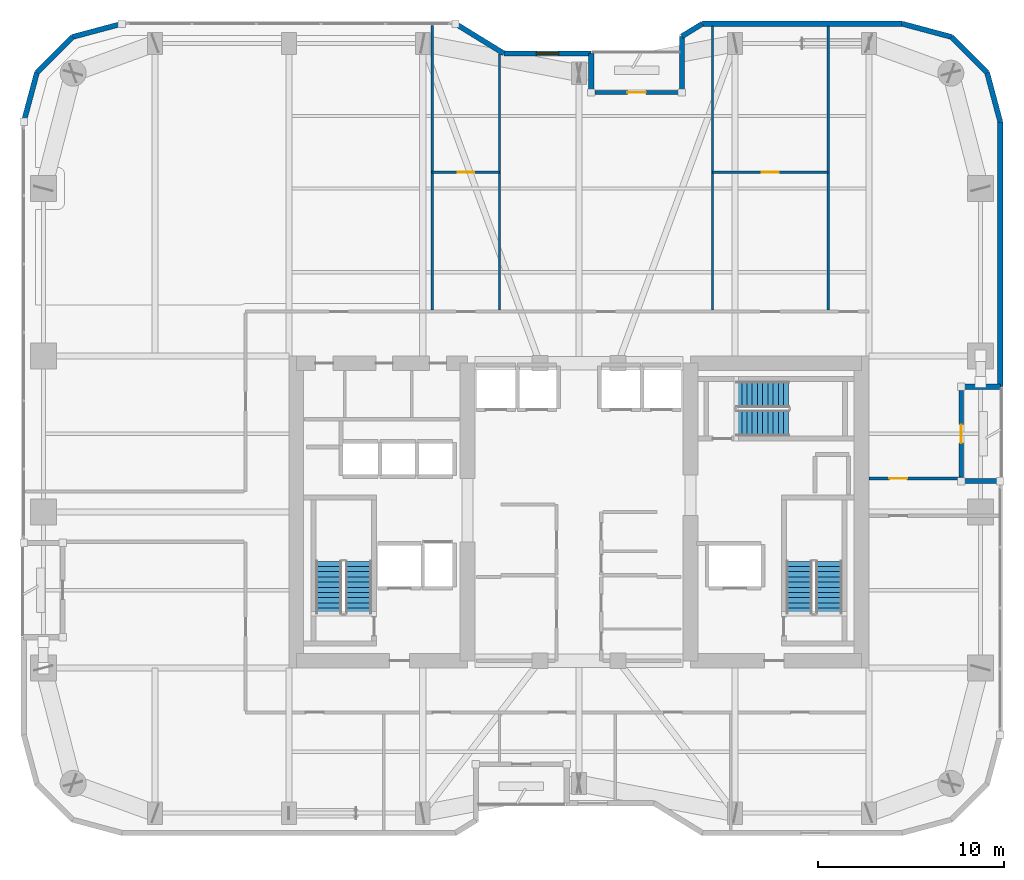
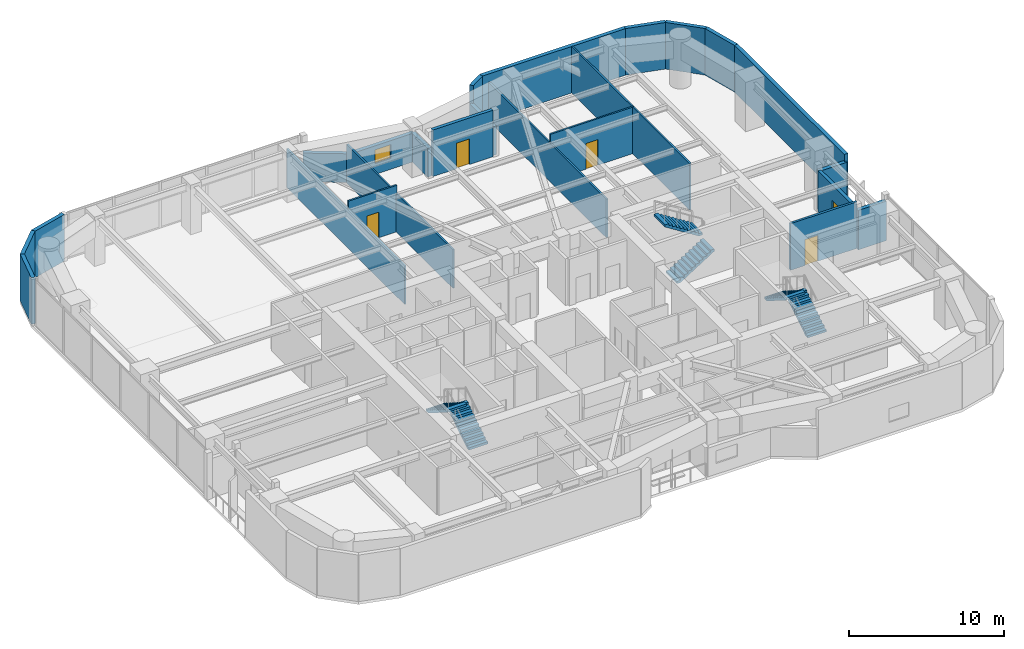
# One storey, part 27 of 30: 24 walls, 6 stair flights, 5 doors, 1 window, 6 openings, 3 elements without a shape of their own.
"""IFC4 building model written with IfcOpenShell, lengths in metres."""

from ifc_helpers import new_model, si_unit, direction, frame, frame_2d, origin, place, context, subcontext, project, spatial, polyline, rectangle, outline, extrude, material, layer, layer_set, type_object, element, fill, aggregate, save


model = new_model("IFC4")

# Units and contexts
model_context = context("Model", 3, precision=1e-05, world=origin(), true_north=direction((0.0, 1.0)))
body_context = subcontext(model_context, "Body", "Model", "MODEL_VIEW")
ifc_project = project(units=[si_unit("LENGTHUNIT", "METRE"), si_unit("AREAUNIT", "SQUARE_METRE"), si_unit("VOLUMEUNIT", "CUBIC_METRE"), si_unit("PLANEANGLEUNIT", "RADIAN"), si_unit("MASSUNIT", "GRAM", prefix="KILO")], contexts=[model_context])

# Site, building, storey
site_placement = place(None, origin())
site = spatial("IfcSite", under=ifc_project, at=site_placement, CompositionType="ELEMENT")
building_placement = place(site_placement, origin())
building = spatial("IfcBuilding", under=site, at=building_placement, Name="Kiyonajd Concourse Tower", CompositionType="ELEMENT")
storey_placement = place(building_placement, frame((0.0, 0.0, 154.5)))
storey = spatial("IfcBuildingStorey", under=building, at=storey_placement, Name="L39", CompositionType="ELEMENT", Elevation=154.5)

# Walls
ifc_material_1 = material(Name="Precast concrete C50/60", Category="concrete")
ifc_layer_1 = layer(ifc_material_1, 0.280029296875)
ifc_layer_set_1 = layer_set([ifc_layer_1], Name="Precast concrete C50/60")
wall_type_1 = type_object("IfcWallType", Name="WL-EXT-280", PredefinedType="SOLIDWALL", material=ifc_layer_set_1)
wall_1_placement = place(storey_placement, frame((18.139892578125, 56.981689453125, 0.0), z_axis=(0.0, 0.0, 1.0), x_axis=(0.258672222976, 0.9659651552, 0.0)))
element("IfcWall", 1, at=wall_1_placement, inside=storey, type_object=wall_type_1, Name="L39 Exterior Concrete Frame Wall 06", PredefinedType="SOLIDWALL", context=body_context, shape_type="SweptSolid", body=[
    extrude(rectangle(XDim=2.739013671875, YDim=0.280029296875, at=frame_2d((1.36962890625, 0.0))), origin(), (0.0, 0.0, 1.0), 3.679931640625),
])
wall_2_placement = place(storey_placement, frame((18.848388671875, 59.62744140625, 0.0), z_axis=(0.0, 0.0, 1.0), x_axis=(0.707106781187, 0.707106781187, 0.0)))
element("IfcWall", 2, at=wall_2_placement, inside=storey, type_object=wall_type_1, Name="L39 Exterior Concrete Frame Wall 07", PredefinedType="SOLIDWALL", context=body_context, shape_type="SweptSolid", body=[
    extrude(rectangle(XDim=2.720947265625, YDim=0.280029296875, at=frame_2d((1.3603515625, 0.0))), origin(), (0.0, 0.0, 1.0), 3.679931640625),
])
wall_3_placement = place(storey_placement, frame((20.7724609375, 61.551513671875, 0.0), z_axis=(0.0, 0.0, 1.0), x_axis=(0.965971118627, 0.258649952598, 0.0)))
element("IfcWall", 3, at=wall_3_placement, inside=storey, type_object=wall_type_1, Name="L39 Exterior Concrete Frame Wall 08", PredefinedType="SOLIDWALL", context=body_context, shape_type="SweptSolid", body=[
    extrude(rectangle(XDim=2.7392578125, YDim=0.280029296875, at=frame_2d((1.36962890625, 0.0))), origin(), (0.0, 0.0, 1.0), 3.679931640625),
])
wall_4_placement = place(storey_placement, frame((41.3603515625, 62.260009765625, 0.0), z_axis=(0.0, 0.0, 1.0), x_axis=(0.851652825334, -0.524106349037, 0.0)))
element("IfcWall", 4, at=wall_4_placement, inside=storey, type_object=wall_type_1, Name="L39 Exterior Concrete Frame Wall 10", PredefinedType="SOLIDWALL", context=body_context, shape_type="SweptSolid", body=[
    extrude(rectangle(XDim=3.052978515625, YDim=0.280029296875, at=frame_2d((1.5263671875, 0.0))), origin(), (0.0, 0.0, 1.0), 2.264892578125),
])

# Wall, opening, window
wall_5_placement = place(storey_placement, frame((43.96044921875, 60.659912109375, 0.0), z_axis=(0.0, 0.0, 1.0), x_axis=(1.0, 0.0, 0.0)))
wall_5 = element("IfcWall", 5, at=wall_5_placement, inside=storey, type_object=wall_type_1, Name="L39 Exterior Concrete Frame Wall 11", PredefinedType="SOLIDWALL", context=body_context, shape_type="SweptSolid", body=[
    extrude(rectangle(XDim=4.699462890625, YDim=0.280029296875, at=frame_2d((2.349609375, 0.0))), origin(), (0.0, 0.0, 1.0), 2.264892578125),
])
opening_1_placement = place(wall_5_placement, frame((1.75, 0.0, 0.85009765625)))
opening_1 = element("IfcOpeningElement", 6, at=opening_1_placement, cuts=wall_5, Name="Opening WN3", PredefinedType="OPENING", context=body_context, shape_type="SweptSolid", body=[
    extrude(rectangle(XDim=1.199951171875, YDim=1.10009765625, at=frame_2d((0.60009765625, 0.550048828125))), frame((0.0, 0.14990234375, 0.0), z_axis=(0.0, -1.0, 0.0), x_axis=(1.0, 0.0, 0.0)), (0.0, 0.0, 1.0), 0.300048828125),
])
ifc_material_2 = material(Name="Double Low-E Insulated Glass", Category="glass")
window_type = type_object("IfcWindowType", Name="WN-VIS-1200x1100", PartitioningType="SINGLE_PANEL", PredefinedType="WINDOW", material=ifc_material_2)
window_placement = place(opening_1_placement, origin())
window = element("IfcWindow", 7, at=window_placement, inside=storey, type_object=window_type, Name="L39 Modular Facade Vision Window 11", OverallHeight=1.10009765625, OverallWidth=1.199951171875, PartitioningType="SINGLE_PANEL", PredefinedType="WINDOW", context=body_context, shape_type="SweptSolid", body=[
    extrude(rectangle(XDim=1.199951171875, YDim=1.10009765625, at=frame_2d((0.60009765625, 0.550048828125))), frame((0.0, 0.030029296875, 0.0), z_axis=(0.0, -1.0, 0.0), x_axis=(1.0, 0.0, 0.0)), (0.0, 0.0, 1.0), 0.06005859375),
])
fill(opening_1, window)

# Walls
wall_6_placement = place(storey_placement, frame((48.659912109375, 60.659912109375, 0.0), z_axis=(0.0, 0.0, 1.0), x_axis=(0.0, -1.0, 0.0)))
element("IfcWall", 8, at=wall_6_placement, inside=storey, type_object=wall_type_1, Name="L39 Exterior Concrete Frame Wall 12", PredefinedType="SOLIDWALL", context=body_context, shape_type="SweptSolid", body=[
    extrude(rectangle(XDim=2.099853515625, YDim=0.280029296875, at=frame_2d((1.0498046875, 0.0))), origin(), (0.0, 0.0, 1.0), 2.264892578125),
])
wall_7_placement = place(storey_placement, frame((53.5400390625, 58.56005859375, 0.0), z_axis=(0.0, 0.0, 1.0), x_axis=(0.0, 1.0, 0.0)))
element("IfcWall", 9, at=wall_7_placement, inside=storey, type_object=wall_type_1, Name="L39 Exterior Concrete Frame Wall 14", PredefinedType="SOLIDWALL", context=body_context, shape_type="SweptSolid", body=[
    extrude(rectangle(XDim=3.023681640625, YDim=0.280029296875, at=frame_2d((1.51171875, 0.0))), origin(), (0.0, 0.0, 1.0), 2.264892578125),
])
wall_8_placement = place(storey_placement, frame((53.5400390625, 61.583740234375, 0.0), z_axis=(0.0, 0.0, 1.0), x_axis=(0.851801140441, 0.523865266212, 0.0)))
element("IfcWall", 10, at=wall_8_placement, inside=storey, type_object=wall_type_1, Name="L39 Exterior Concrete Frame Wall 15", PredefinedType="SOLIDWALL", context=body_context, shape_type="SweptSolid", body=[
    extrude(rectangle(XDim=1.291015625, YDim=0.280029296875, at=frame_2d((0.6455078125, 0.0))), origin(), (0.0, 0.0, 1.0), 3.679931640625),
])
wall_9_placement = place(storey_placement, frame((54.6396484375, 62.260009765625, 0.0), z_axis=(0.0, 0.0, 1.0), x_axis=(1.0, 0.0, 0.0)))
element("IfcWall", 11, at=wall_9_placement, inside=storey, type_object=wall_type_1, Name="L39 Exterior Concrete Frame Wall 16", PredefinedType="SOLIDWALL", context=body_context, shape_type="SweptSolid", body=[
    extrude(rectangle(XDim=10.741943359375, YDim=0.280029296875, at=frame_2d((5.37109375, 0.0))), origin(), (0.0, 0.0, 1.0), 3.679931640625),
])
wall_10_placement = place(storey_placement, frame((65.381591796875, 62.260009765625, 0.0), z_axis=(0.0, 0.0, 1.0), x_axis=(0.965971118627, -0.258649952598, 0.0)))
element("IfcWall", 12, at=wall_10_placement, inside=storey, type_object=wall_type_1, Name="L39 Exterior Concrete Frame Wall 17", PredefinedType="SOLIDWALL", context=body_context, shape_type="SweptSolid", body=[
    extrude(rectangle(XDim=2.7392578125, YDim=0.280029296875, at=frame_2d((1.36962890625, 0.0))), origin(), (0.0, 0.0, 1.0), 3.679931640625),
])
wall_11_placement = place(storey_placement, frame((68.027587890625, 61.551513671875, 0.0), z_axis=(0.0, 0.0, 1.0), x_axis=(0.707061915429, -0.707151644098, 0.0)))
element("IfcWall", 13, at=wall_11_placement, inside=storey, type_object=wall_type_1, Name="L39 Exterior Concrete Frame Wall 18", PredefinedType="SOLIDWALL", context=body_context, shape_type="SweptSolid", body=[
    extrude(rectangle(XDim=2.720947265625, YDim=0.280029296875, at=frame_2d((1.3603515625, 0.0))), origin(), (0.0, 0.0, 1.0), 3.679931640625),
])
wall_12_placement = place(storey_placement, frame((69.951416015625, 59.62744140625, 0.0), z_axis=(0.0, 0.0, 1.0), x_axis=(0.258672222976, -0.9659651552, 0.0)))
element("IfcWall", 14, at=wall_12_placement, inside=storey, type_object=wall_type_1, Name="L39 Exterior Concrete Frame Wall 19", PredefinedType="SOLIDWALL", context=body_context, shape_type="SweptSolid", body=[
    extrude(rectangle(XDim=2.739013671875, YDim=0.280029296875, at=frame_2d((1.36962890625, 0.0))), origin(), (0.0, 0.0, 1.0), 3.679931640625),
])
wall_13_placement = place(storey_placement, frame((70.659912109375, 56.981689453125, 0.0), z_axis=(0.0, 0.0, 1.0), x_axis=(0.0, -1.0, 0.0)))
element("IfcWall", 15, at=wall_13_placement, inside=storey, type_object=wall_type_1, Name="L39 Exterior Concrete Frame Wall 20", PredefinedType="SOLIDWALL", context=body_context, shape_type="SweptSolid", body=[
    extrude(rectangle(XDim=14.24169921875, YDim=0.280029296875, at=frame_2d((7.120849609375, 0.0))), origin(), (0.0, 0.0, 1.0), 3.679931640625),
])
for number, where, z_axis, x_axis, name in (
    (16, (70.659912109375, 42.739990234375, 0.0), (0.0, 0.0, 1.0), (-1.0, 0.0, 0.0), "L39 Exterior Concrete Frame Wall 21"),
    (17, (68.56005859375, 37.659912109375, 0.0), (0.0, 0.0, 1.0), (1.0, 0.0, 0.0), "L39 Exterior Concrete Frame Wall 23"),
):
    element("IfcWall", number, at=place(storey_placement, frame(where, z_axis=z_axis, x_axis=x_axis)), inside=storey, type_object=wall_type_1, Name=name, PredefinedType="SOLIDWALL", context=body_context, shape_type="SweptSolid", body=[
        extrude(rectangle(XDim=2.099853515625, YDim=0.280029296875, at=frame_2d((1.0498046875, 0.0))), origin(), (0.0, 0.0, 1.0), 3.115966796875),
    ])

# Wall, opening, door
ifc_layer_2 = layer(ifc_material_1, 0.239990234375)
ifc_layer_set_2 = layer_set([ifc_layer_2], Name="Precast concrete C50/60")
wall_type_2 = type_object("IfcWallType", Name="WL-LOG-240", PredefinedType="SOLIDWALL", material=ifc_layer_set_2)
wall_14_placement = place(storey_placement, frame((48.85498046875, 58.56005859375, 0.0), z_axis=(0.0, 0.0, 1.0), x_axis=(1.0, 0.0, 0.0)))
wall_14 = element("IfcWall", 18, at=wall_14_placement, inside=storey, type_object=wall_type_2, Name="L39 Recessed Loggia Thermal Wall LOG-N", PredefinedType="SOLIDWALL", context=body_context, shape_type="SweptSolid", body=[
    extrude(rectangle(XDim=4.489990234375, YDim=0.239990234375, at=frame_2d((2.2451171875, 0.0))), origin(), (0.0, 0.0, 1.0), 3.679931640625),
])
opening_2_placement = place(wall_14_placement, frame((1.7451171875, 0.0, 0.0)))
opening_2 = element("IfcOpeningElement", 19, at=opening_2_placement, cuts=wall_14, Name="Opening DL1", PredefinedType="OPENING", context=body_context, shape_type="SweptSolid", body=[
    extrude(rectangle(XDim=1.0, YDim=2.02001953125, at=frame_2d((0.5, 1.010009765625))), frame((0.0, 0.1298828125, 0.0), z_axis=(0.0, -1.0, 0.0), x_axis=(1.0, 0.0, 0.0)), (0.0, 0.0, 1.0), 0.260009765625),
])
ifc_material_3 = material(Name="Thermally Broken Anodised Aluminium", Category="aluminium")
door_type_1 = type_object("IfcDoorType", Name="DR-LOG-1000", OperationType="NOTDEFINED", PredefinedType="DOOR", material=ifc_material_3)
door_1_placement = place(opening_2_placement, origin())
door_1 = element("IfcDoor", 20, at=door_1_placement, inside=storey, type_object=door_type_1, Name="L39 Engawa Loggia Access Door LOG-N", OperationType="SINGLE_SWING_RIGHT", OverallHeight=2.02001953125, OverallWidth=1.0, PredefinedType="DOOR", context=body_context, shape_type="SweptSolid", body=[
    extrude(rectangle(XDim=1.0, YDim=2.02001953125, at=frame_2d((0.5, 1.010009765625))), frame((0.0, 0.02490234375, 0.0), z_axis=(0.0, -1.0, 0.0), x_axis=(1.0, 0.0, 0.0)), (0.0, 0.0, 1.0), 0.050048828125),
])
fill(opening_2, door_1)

wall_15_placement = place(storey_placement, frame((68.56005859375, 42.544921875, 0.0), z_axis=(0.0, 0.0, 1.0), x_axis=(0.0, -1.0, 0.0)))
wall_15 = element("IfcWall", 21, at=wall_15_placement, inside=storey, type_object=wall_type_2, Name="L39 Recessed Loggia Thermal Wall LOG-E", PredefinedType="SOLIDWALL", context=body_context, shape_type="SweptSolid", body=[
    extrude(rectangle(XDim=4.68994140625, YDim=0.239990234375, at=frame_2d((2.344970703125, 0.0))), origin(), (0.0, 0.0, 1.0), 3.248046875),
])
opening_3_placement = place(wall_15_placement, frame((1.844970703125, 0.0, 0.0)))
opening_3 = element("IfcOpeningElement", 22, at=opening_3_placement, cuts=wall_15, Name="Opening DL1", PredefinedType="OPENING", context=body_context, shape_type="SweptSolid", body=[
    extrude(rectangle(XDim=1.0, YDim=2.02001953125, at=frame_2d((0.5, 1.010009765625))), frame((0.0, 0.1298828125, 0.0), z_axis=(0.0, -1.0, 0.0), x_axis=(1.0, 0.0, 0.0)), (0.0, 0.0, 1.0), 0.260009765625),
])
door_2_placement = place(opening_3_placement, origin())
door_2 = element("IfcDoor", 23, at=door_2_placement, inside=storey, type_object=door_type_1, Name="L39 Engawa Loggia Access Door LOG-E", OperationType="SINGLE_SWING_LEFT", OverallHeight=2.02001953125, OverallWidth=1.0, PredefinedType="DOOR", context=body_context, shape_type="SweptSolid", body=[
    extrude(rectangle(XDim=1.0, YDim=2.02001953125, at=frame_2d((0.5, 1.010009765625))), frame((0.0, 0.02490234375, 0.0), z_axis=(0.0, -1.0, 0.0), x_axis=(1.0, 0.0, 0.0)), (0.0, 0.0, 1.0), 0.050048828125),
])
fill(opening_3, door_2)

ifc_material_4 = material(Name="Gypsum Board on Cold-Formed Steel Stud", Category="steel")
ifc_layer_3 = layer(ifc_material_4, 0.125)
ifc_layer_set_3 = layer_set([ifc_layer_3], Name="Gypsum Board on Cold-Formed Steel Stud")
wall_type_3 = type_object("IfcWallType", Name="WL-PART-125", PredefinedType="PARTITIONING", material=ifc_layer_set_3)
wall_16_placement = place(storey_placement, frame((40.110107421875, 54.280029296875, 0.0), z_axis=(0.0, 0.0, 1.0), x_axis=(1.0, 0.0, 0.0)))
wall_16 = element("IfcWall", 24, at=wall_16_placement, inside=storey, type_object=wall_type_3, Name="L39 Interior Partition Wall", PredefinedType="PARTITIONING", context=body_context, shape_type="SweptSolid", body=[
    extrude(rectangle(XDim=3.619873046875, YDim=0.125, at=frame_2d((1.81005859375, 0.0))), origin(), (0.0, 0.0, 1.0), 3.679931640625),
])
opening_4_placement = place(wall_16_placement, frame((1.360107421875, 0.0, 0.0)))
opening_4 = element("IfcOpeningElement", 25, at=opening_4_placement, cuts=wall_16, Name="Opening DI2", PredefinedType="OPENING", context=body_context, shape_type="SweptSolid", body=[
    extrude(rectangle(XDim=0.89990234375, YDim=2.02001953125, at=frame_2d((0.449951171875, 1.010009765625))), frame((0.0, 0.072509765625, 0.0), z_axis=(0.0, -1.0, 0.0), x_axis=(1.0, 0.0, 0.0)), (0.0, 0.0, 1.0), 0.14501953125),
])
ifc_material_5 = material(Name="Natural Oak Acoustic Timber Veneer", Category="wood")
door_type_2 = type_object("IfcDoorType", Name="DR-INT-900", OperationType="NOTDEFINED", PredefinedType="DOOR", material=ifc_material_5)
door_3_placement = place(opening_4_placement, origin())
door_3 = element("IfcDoor", 26, at=door_3_placement, inside=storey, type_object=door_type_2, Name="L39 Interior Door", OperationType="SINGLE_SWING_LEFT", OverallHeight=2.02001953125, OverallWidth=0.89990234375, PredefinedType="DOOR", context=body_context, shape_type="SweptSolid", body=[
    extrude(rectangle(XDim=0.89990234375, YDim=2.02001953125, at=frame_2d((0.449951171875, 1.010009765625))), frame((0.0, 0.02490234375, 0.0), z_axis=(0.0, -1.0, 0.0), x_axis=(1.0, 0.0, 0.0)), (0.0, 0.0, 1.0), 0.050048828125),
])
fill(opening_4, door_3)

# Walls
wall_17_placement = place(storey_placement, frame((40.110107421875, 46.866943359375, 0.0), z_axis=(0.0, 0.0, 1.0), x_axis=(0.0, 1.0, 0.0)))
element("IfcWall", 27, at=wall_17_placement, inside=storey, type_object=wall_type_3, Name="L39 Interior Partition Wall", PredefinedType="PARTITIONING", context=body_context, shape_type="SweptSolid", body=[
    extrude(rectangle(XDim=15.298095703125, YDim=0.125, at=frame_2d((7.64892578125, 0.0))), origin(), (0.0, 0.0, 1.0), 3.04296875),
])
wall_18_placement = place(storey_placement, frame((43.72998046875, 46.866943359375, 0.0), z_axis=(0.0, 0.0, 1.0), x_axis=(0.0, 1.0, 0.0)))
element("IfcWall", 28, at=wall_18_placement, inside=storey, type_object=wall_type_3, Name="L39 Interior Partition Wall", PredefinedType="PARTITIONING", context=body_context, shape_type="SweptSolid", body=[
    extrude(rectangle(XDim=13.76611328125, YDim=0.125, at=frame_2d((6.883056640625, 0.0))), origin(), (0.0, 0.0, 1.0), 3.04296875),
])

# Wall, opening, door
wall_19_placement = place(storey_placement, frame((55.179931640625, 54.280029296875, 0.0), z_axis=(0.0, 0.0, 1.0), x_axis=(1.0, 0.0, 0.0)))
wall_19 = element("IfcWall", 29, at=wall_19_placement, inside=storey, type_object=wall_type_3, Name="L39 Interior Partition Wall", PredefinedType="PARTITIONING", context=body_context, shape_type="SweptSolid", body=[
    extrude(rectangle(XDim=6.219970703125, YDim=0.125, at=frame_2d((3.10986328125, 0.0))), origin(), (0.0, 0.0, 1.0), 3.679931640625),
])
opening_5_placement = place(wall_19_placement, frame((2.659912109375, 0.0, 0.0)))
opening_5 = element("IfcOpeningElement", 30, at=opening_5_placement, cuts=wall_19, Name="Opening DI2", PredefinedType="OPENING", context=body_context, shape_type="SweptSolid", body=[
    extrude(rectangle(XDim=0.89990234375, YDim=2.02001953125, at=frame_2d((0.449951171875, 1.010009765625))), frame((0.0, 0.072509765625, 0.0), z_axis=(0.0, -1.0, 0.0), x_axis=(1.0, 0.0, 0.0)), (0.0, 0.0, 1.0), 0.14501953125),
])
door_4_placement = place(opening_5_placement, origin())
door_4 = element("IfcDoor", 31, at=door_4_placement, inside=storey, type_object=door_type_2, Name="L39 Interior Door", OperationType="SINGLE_SWING_RIGHT", OverallHeight=2.02001953125, OverallWidth=0.89990234375, PredefinedType="DOOR", context=body_context, shape_type="SweptSolid", body=[
    extrude(rectangle(XDim=0.89990234375, YDim=2.02001953125, at=frame_2d((0.449951171875, 1.010009765625))), frame((0.0, 0.02490234375, 0.0), z_axis=(0.0, -1.0, 0.0), x_axis=(1.0, 0.0, 0.0)), (0.0, 0.0, 1.0), 0.050048828125),
])
fill(opening_5, door_4)

# Walls
wall_20_placement = place(storey_placement, frame((55.179931640625, 46.866943359375, 0.0), z_axis=(0.0, 0.0, 1.0), x_axis=(0.0, 1.0, 0.0)))
element("IfcWall", 32, at=wall_20_placement, inside=storey, type_object=wall_type_3, Name="L39 Interior Partition Wall", PredefinedType="PARTITIONING", context=body_context, shape_type="SweptSolid", body=[
    extrude(rectangle(XDim=15.258056640625, YDim=0.125, at=frame_2d((7.62890625, 0.0))), origin(), (0.0, 0.0, 1.0), 3.04296875),
])
wall_21_placement = place(storey_placement, frame((61.39990234375, 46.866943359375, 0.0), z_axis=(0.0, 0.0, 1.0), x_axis=(0.0, 1.0, 0.0)))
element("IfcWall", 33, at=wall_21_placement, inside=storey, type_object=wall_type_3, Name="L39 Interior Partition Wall", PredefinedType="PARTITIONING", context=body_context, shape_type="SweptSolid", body=[
    extrude(rectangle(XDim=15.258056640625, YDim=0.125, at=frame_2d((7.62890625, 0.0))), origin(), (0.0, 0.0, 1.0), 3.679931640625),
])

# Wall, opening, door
ifc_layer_4 = layer(ifc_material_4, 0.169921875)
ifc_layer_set_4 = layer_set([ifc_layer_4], Name="Gypsum Board on Cold-Formed Steel Stud")
wall_type_4 = type_object("IfcWallType", Name="WL-SMK-170", PredefinedType="PARTITIONING", material=ifc_layer_set_4)
wall_22_placement = place(storey_placement, frame((63.60009765625, 37.800048828125, 0.0), z_axis=(0.0, 0.0, 1.0), x_axis=(1.0, 0.0, 0.0)))
wall_22 = element("IfcWall", 34, at=wall_22_placement, inside=storey, type_object=wall_type_4, Name="L39 Interior Partition Wall", PredefinedType="PARTITIONING", context=body_context, shape_type="SweptSolid", body=[
    extrude(rectangle(XDim=4.9599609375, YDim=0.169921875, at=frame_2d((2.47998046875, 0.0))), origin(), (0.0, 0.0, 1.0), 3.679931640625),
])
opening_6_placement = place(wall_22_placement, frame((1.10009765625, 0.0, 0.0)))
opening_6 = element("IfcOpeningElement", 35, at=opening_6_placement, cuts=wall_22, Name="Opening DI1", PredefinedType="OPENING", context=body_context, shape_type="SweptSolid", body=[
    extrude(rectangle(XDim=0.949951171875, YDim=2.0400390625, at=frame_2d((0.47509765625, 1.02001953125))), frame((0.0, 0.094970703125, 0.0), z_axis=(0.0, -1.0, 0.0), x_axis=(1.0, 0.0, 0.0)), (0.0, 0.0, 1.0), 0.18994140625),
])
door_type_3 = type_object("IfcDoorType", Name="DR-INT-950", OperationType="NOTDEFINED", PredefinedType="DOOR", material=ifc_material_5)
door_5_placement = place(opening_6_placement, origin())
door_5 = element("IfcDoor", 36, at=door_5_placement, inside=storey, type_object=door_type_3, Name="L39 Interior Door", OperationType="SINGLE_SWING_RIGHT", OverallHeight=2.0400390625, OverallWidth=0.949951171875, PredefinedType="DOOR", context=body_context, shape_type="SweptSolid", body=[
    extrude(rectangle(XDim=0.949951171875, YDim=2.0400390625, at=frame_2d((0.47509765625, 1.02001953125))), frame((0.0, 0.02490234375, 0.0), z_axis=(0.0, -1.0, 0.0), x_axis=(1.0, 0.0, 0.0)), (0.0, 0.0, 1.0), 0.050048828125),
])
fill(opening_6, door_5)

# Stair, stair flights
ifc_material_6 = material(Name="Concrete C40/50", Category="concrete")
stair_type = type_object("IfcStairType", Name="ST-DLG-22R", PredefinedType="HALF_TURN_STAIR", material=ifc_material_6)
stair_1_placement = place(storey_placement, origin())
stair_1 = element("IfcStair", 37, at=stair_1_placement, inside=storey, type_object=stair_type, Name="L39 Protected Exit Stair ST1", PredefinedType="HALF_TURN_STAIR")
stair_flight_type = type_object("IfcStairFlightType", Name="SF-STR-22R", PredefinedType="STRAIGHT", material=ifc_material_6)
stair_flight_1_placement = place(storey_placement, frame((36.14990234375, 30.550048828125, 0.0), z_axis=(0.0, 0.0, 1.0), x_axis=(0.0, 1.0, 0.0)))
stair_flight_1 = element("IfcStairFlight", 38, at=stair_flight_1_placement, type_object=stair_flight_type, Name="ST1 flight 1", NumberOfRisers=11, NumberOfTreads=10, PredefinedType="STRAIGHT", RiserHeight=0.177272727, TreadLength=0.28, context=body_context, shape_type="SweptSolid", body=[
    extrude(outline(polyline([(0.0, 0.0), (0.0, 0.17724609375), (0.280029296875, 0.17724609375), (0.280029296875, 0.3544921875), (0.56005859375, 0.3544921875), (0.56005859375, 0.53173828125), (0.840087890625, 0.53173828125), (0.840087890625, 0.708984375), (1.1201171875, 0.708984375), (1.1201171875, 0.886474609375), (1.39990234375, 0.886474609375), (1.39990234375, 1.063720703125), (1.679931640625, 1.063720703125), (1.679931640625, 1.240966796875), (1.9599609375, 1.240966796875), (1.9599609375, 1.418212890625), (2.239990234375, 1.418212890625), (2.239990234375, 1.595458984375), (2.52001953125, 1.595458984375), (2.52001953125, 1.772705078125), (2.800048828125, 1.772705078125), (2.800048828125, 1.949951171875), (2.800048828125, 1.59521484375), (0.2802734375, 0.0), (0.0, 0.0)])), frame((0.0, 0.699951171875, 0.0), z_axis=(0.0, -1.0, 0.0), x_axis=(1.0, 0.0, 0.0)), (0.0, 0.0, 1.0), 1.39990234375),
])
stair_flight_2_placement = place(storey_placement, frame((34.550048828125, 33.35009765625, 1.949951171875), z_axis=(0.0, 0.0, 1.0), x_axis=(0.0, -1.0, 0.0)))
stair_flight_2 = element("IfcStairFlight", 39, at=stair_flight_2_placement, type_object=stair_flight_type, Name="ST1 flight 2", NumberOfRisers=11, NumberOfTreads=10, PredefinedType="STRAIGHT", RiserHeight=0.177272727, TreadLength=0.28, context=body_context, shape_type="SweptSolid", body=[
    extrude(outline(polyline([(0.0, 0.0), (0.0, 0.17724609375), (0.280029296875, 0.17724609375), (0.280029296875, 0.3544921875), (0.56005859375, 0.3544921875), (0.56005859375, 0.53173828125), (0.840087890625, 0.53173828125), (0.840087890625, 0.708984375), (1.1201171875, 0.708984375), (1.1201171875, 0.886474609375), (1.39990234375, 0.886474609375), (1.39990234375, 1.063720703125), (1.679931640625, 1.063720703125), (1.679931640625, 1.240966796875), (1.9599609375, 1.240966796875), (1.9599609375, 1.418212890625), (2.239990234375, 1.418212890625), (2.239990234375, 1.595458984375), (2.52001953125, 1.595458984375), (2.52001953125, 1.772705078125), (2.800048828125, 1.772705078125), (2.800048828125, 1.949951171875), (2.800048828125, 1.59521484375), (0.2802734375, 0.0), (0.0, 0.0)])), frame((0.0, 0.699951171875, 0.0), z_axis=(0.0, -1.0, 0.0), x_axis=(1.0, 0.0, 0.0)), (0.0, 0.0, 1.0), 1.39990234375),
])
aggregate(stair_1, [stair_flight_1, stair_flight_2])

stair_2_placement = place(storey_placement, origin())
stair_2 = element("IfcStair", 40, at=stair_2_placement, inside=storey, type_object=stair_type, Name="L39 Protected Exit Stair ST2", PredefinedType="HALF_TURN_STAIR")
stair_flight_3_placement = place(storey_placement, frame((61.449951171875, 30.550048828125, 0.0), z_axis=(0.0, 0.0, 1.0), x_axis=(0.0, 1.0, 0.0)))
stair_flight_3 = element("IfcStairFlight", 41, at=stair_flight_3_placement, type_object=stair_flight_type, Name="ST2 flight 1", NumberOfRisers=11, NumberOfTreads=10, PredefinedType="STRAIGHT", RiserHeight=0.177272727, TreadLength=0.28, context=body_context, shape_type="SweptSolid", body=[
    extrude(outline(polyline([(0.0, 0.0), (0.0, 0.17724609375), (0.280029296875, 0.17724609375), (0.280029296875, 0.3544921875), (0.56005859375, 0.3544921875), (0.56005859375, 0.53173828125), (0.840087890625, 0.53173828125), (0.840087890625, 0.708984375), (1.1201171875, 0.708984375), (1.1201171875, 0.886474609375), (1.39990234375, 0.886474609375), (1.39990234375, 1.063720703125), (1.679931640625, 1.063720703125), (1.679931640625, 1.240966796875), (1.9599609375, 1.240966796875), (1.9599609375, 1.418212890625), (2.239990234375, 1.418212890625), (2.239990234375, 1.595458984375), (2.52001953125, 1.595458984375), (2.52001953125, 1.772705078125), (2.800048828125, 1.772705078125), (2.800048828125, 1.949951171875), (2.800048828125, 1.59521484375), (0.2802734375, 0.0), (0.0, 0.0)])), frame((0.0, 0.699951171875, 0.0), z_axis=(0.0, -1.0, 0.0), x_axis=(1.0, 0.0, 0.0)), (0.0, 0.0, 1.0), 1.39990234375),
])
stair_flight_4_placement = place(storey_placement, frame((59.85009765625, 33.35009765625, 1.949951171875), z_axis=(0.0, 0.0, 1.0), x_axis=(0.0, -1.0, 0.0)))
stair_flight_4 = element("IfcStairFlight", 42, at=stair_flight_4_placement, type_object=stair_flight_type, Name="ST2 flight 2", NumberOfRisers=11, NumberOfTreads=10, PredefinedType="STRAIGHT", RiserHeight=0.177272727, TreadLength=0.28, context=body_context, shape_type="SweptSolid", body=[
    extrude(outline(polyline([(0.0, 0.0), (0.0, 0.17724609375), (0.280029296875, 0.17724609375), (0.280029296875, 0.3544921875), (0.56005859375, 0.3544921875), (0.56005859375, 0.53173828125), (0.840087890625, 0.53173828125), (0.840087890625, 0.708984375), (1.1201171875, 0.708984375), (1.1201171875, 0.886474609375), (1.39990234375, 0.886474609375), (1.39990234375, 1.063720703125), (1.679931640625, 1.063720703125), (1.679931640625, 1.240966796875), (1.9599609375, 1.240966796875), (1.9599609375, 1.418212890625), (2.239990234375, 1.418212890625), (2.239990234375, 1.595458984375), (2.52001953125, 1.595458984375), (2.52001953125, 1.772705078125), (2.800048828125, 1.772705078125), (2.800048828125, 1.949951171875), (2.800048828125, 1.59521484375), (0.2802734375, 0.0), (0.0, 0.0)])), frame((0.0, 0.699951171875, 0.0), z_axis=(0.0, -1.0, 0.0), x_axis=(1.0, 0.0, 0.0)), (0.0, 0.0, 1.0), 1.39990234375),
])
aggregate(stair_2, [stair_flight_3, stair_flight_4])

stair_3_placement = place(storey_placement, origin())
stair_3 = element("IfcStair", 43, at=stair_3_placement, inside=storey, type_object=stair_type, Name="L39 Protected Exit Stair ST3", PredefinedType="HALF_TURN_STAIR")
stair_flight_5_placement = place(storey_placement, frame((56.47998046875, 40.780029296875, 0.0), z_axis=(0.0, 0.0, 1.0), x_axis=(1.0, 0.0, 0.0)))
stair_flight_5 = element("IfcStairFlight", 44, at=stair_flight_5_placement, type_object=stair_flight_type, Name="ST3 flight 1", NumberOfRisers=11, NumberOfTreads=10, PredefinedType="STRAIGHT", RiserHeight=0.177272727, TreadLength=0.28, context=body_context, shape_type="SweptSolid", body=[
    extrude(outline(polyline([(0.0, 0.0), (0.0, 0.17724609375), (0.280029296875, 0.17724609375), (0.280029296875, 0.3544921875), (0.56005859375, 0.3544921875), (0.56005859375, 0.53173828125), (0.840087890625, 0.53173828125), (0.840087890625, 0.708984375), (1.1201171875, 0.708984375), (1.1201171875, 0.886474609375), (1.39990234375, 0.886474609375), (1.39990234375, 1.063720703125), (1.679931640625, 1.063720703125), (1.679931640625, 1.240966796875), (1.9599609375, 1.240966796875), (1.9599609375, 1.418212890625), (2.239990234375, 1.418212890625), (2.239990234375, 1.595458984375), (2.52001953125, 1.595458984375), (2.52001953125, 1.772705078125), (2.800048828125, 1.772705078125), (2.800048828125, 1.949951171875), (2.800048828125, 1.59521484375), (0.2802734375, 0.0), (0.0, 0.0)])), frame((0.0, 0.699951171875, 0.0), z_axis=(0.0, -1.0, 0.0), x_axis=(1.0, 0.0, 0.0)), (0.0, 0.0, 1.0), 1.39990234375),
])
stair_flight_6_placement = place(storey_placement, frame((59.280029296875, 42.320068359375, 1.949951171875), z_axis=(0.0, 0.0, 1.0), x_axis=(-1.0, 0.0, 0.0)))
stair_flight_6 = element("IfcStairFlight", 45, at=stair_flight_6_placement, type_object=stair_flight_type, Name="ST3 flight 2", NumberOfRisers=11, NumberOfTreads=10, PredefinedType="STRAIGHT", RiserHeight=0.177272727, TreadLength=0.28, context=body_context, shape_type="SweptSolid", body=[
    extrude(outline(polyline([(0.0, 0.0), (0.0, 0.17724609375), (0.280029296875, 0.17724609375), (0.280029296875, 0.3544921875), (0.56005859375, 0.3544921875), (0.56005859375, 0.53173828125), (0.840087890625, 0.53173828125), (0.840087890625, 0.708984375), (1.1201171875, 0.708984375), (1.1201171875, 0.886474609375), (1.39990234375, 0.886474609375), (1.39990234375, 1.063720703125), (1.679931640625, 1.063720703125), (1.679931640625, 1.240966796875), (1.9599609375, 1.240966796875), (1.9599609375, 1.418212890625), (2.239990234375, 1.418212890625), (2.239990234375, 1.595458984375), (2.52001953125, 1.595458984375), (2.52001953125, 1.772705078125), (2.800048828125, 1.772705078125), (2.800048828125, 1.949951171875), (2.800048828125, 1.59521484375), (0.2802734375, 0.0), (0.0, 0.0)])), frame((0.0, 0.699951171875, 0.0), z_axis=(0.0, -1.0, 0.0), x_axis=(1.0, 0.0, 0.0)), (0.0, 0.0, 1.0), 1.39990234375),
])
aggregate(stair_3, [stair_flight_5, stair_flight_6])

save(model, "model.ifc")
